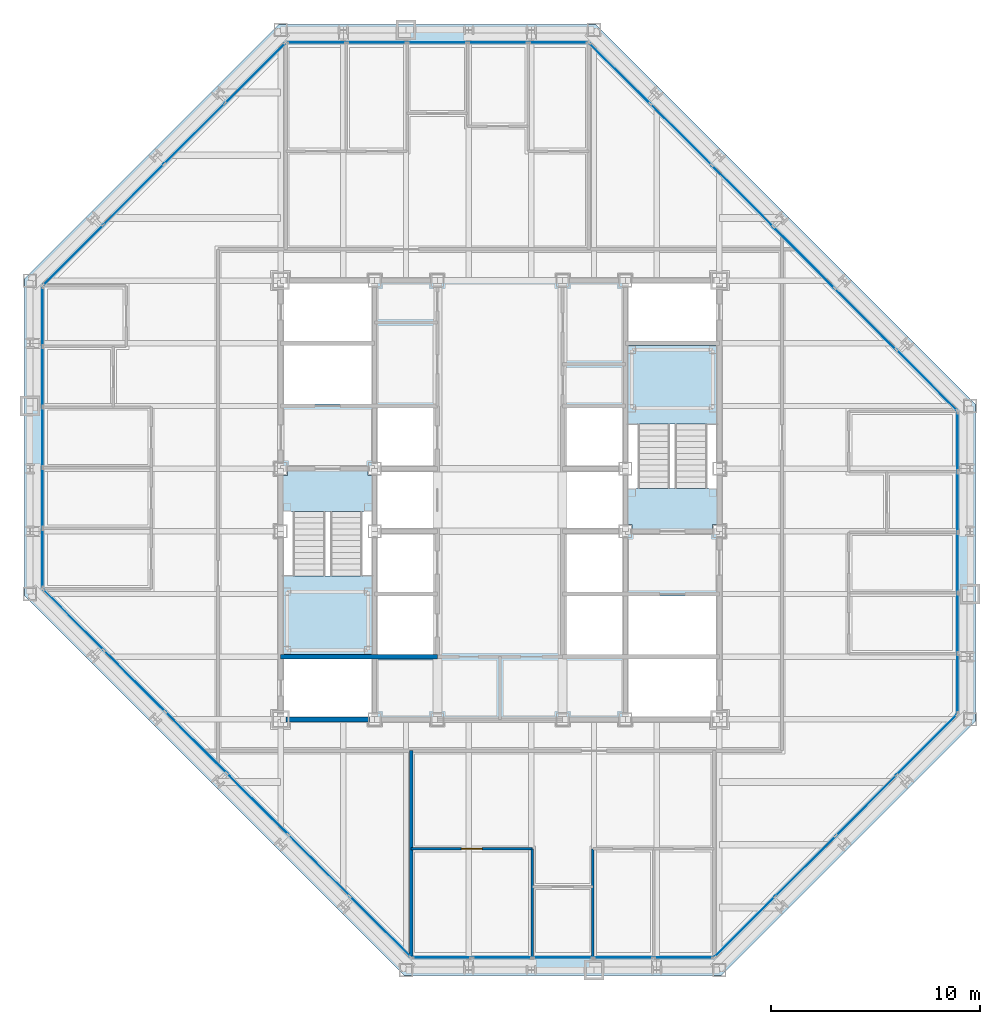
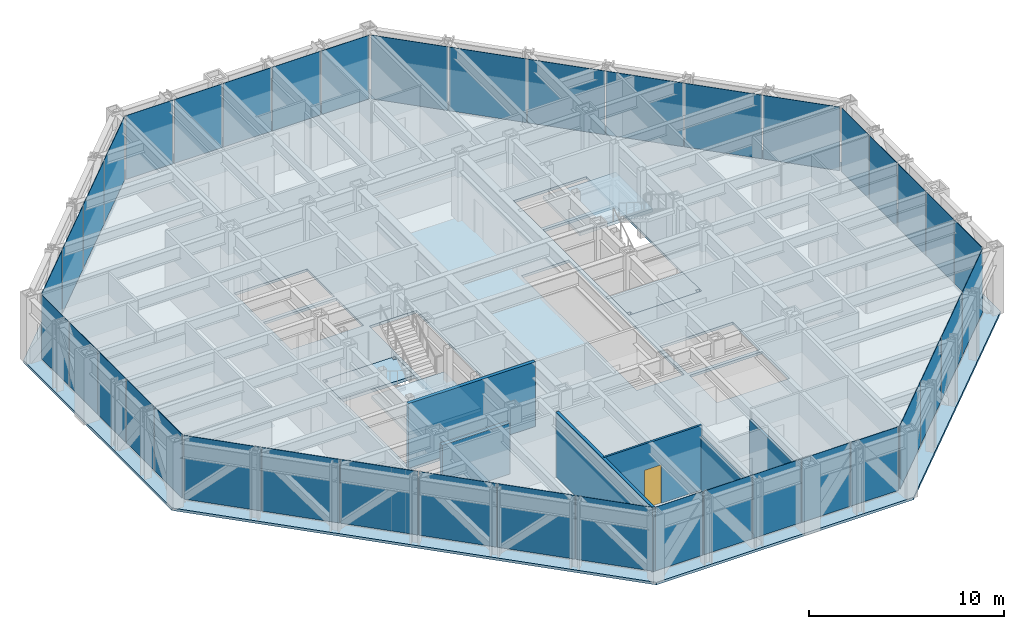
# One storey, part 10 of 16: 40 plates, 6 walls, 5 slabs, 1 door, 1 opening, 10 elements without a shape of their own.
"""IFC4 building model written with IfcOpenShell, lengths in metres."""

from ifc_helpers import new_model, si_unit, direction, frame, frame_2d, origin, origin_2d, place, context, subcontext, project, spatial, polyline, rectangle, outline, extrude, material, layer, layer_set, type_object, element, fill, aggregate, save


model = new_model("IFC4")

# Units and contexts
model_context = context("Model", 3, precision=1e-05, world=origin(), true_north=direction((0.0, 1.0)))
body_context = subcontext(model_context, "Body", "Model", "MODEL_VIEW")
ifc_project = project(units=[si_unit("LENGTHUNIT", "METRE"), si_unit("AREAUNIT", "SQUARE_METRE"), si_unit("VOLUMEUNIT", "CUBIC_METRE"), si_unit("PLANEANGLEUNIT", "RADIAN"), si_unit("MASSUNIT", "GRAM", prefix="KILO")], contexts=[model_context])

# Site, building, storey
site_placement = place(None, origin())
site = spatial("IfcSite", under=ifc_project, at=site_placement, CompositionType="ELEMENT")
building_placement = place(site_placement, origin())
building = spatial("IfcBuilding", under=site, at=building_placement, Name="Chuquiago Exchange Tower", CompositionType="ELEMENT")
storey_placement = place(building_placement, frame((0.0, 0.0, 205.5)))
storey = spatial("IfcBuildingStorey", under=building, at=storey_placement, Name="L45", CompositionType="ELEMENT", Elevation=205.5)

# Curtain wall, plate
ifc_material_1 = material(Name="Aluminium curtain wall system", Category="aluminium")
ifc_layer_1 = layer(ifc_material_1, 0.22509765625)
ifc_layer_set_1 = layer_set([ifc_layer_1], Name="CW2 office curtain wall")
curtain_wall_type_1 = type_object("IfcCurtainWallType", Name="CW2 office curtain wall", PredefinedType="NOTDEFINED", material=ifc_layer_set_1)
curtain_wall_1_placement = place(storey_placement, origin())
curtain_wall_1 = element("IfcCurtainWall", 1, at=curtain_wall_1_placement, inside=storey, type_object=curtain_wall_type_1, Name="CW2 curtain wall L45", PredefinedType="NOTDEFINED")
ifc_material_2 = material(Name="Glass, insulating unit", Category="glass")
ifc_layer_2 = layer(ifc_material_2, 0.030029296875)
ifc_layer_set_2 = layer_set([ifc_layer_2], Name="CW2-P panel 30")
plate_type_1 = type_object("IfcPlateType", Name="CW2-P panel 30", PredefinedType="CURTAIN_PANEL", material=ifc_layer_set_2)
plate_1_placement = place(storey_placement, frame((25.5, 0.60009765625, 0.06494140625), z_axis=(0.0, 0.0, 1.0), x_axis=(1.0, 0.0, 0.0)))
plate_1 = element("IfcPlate", 2, at=plate_1_placement, type_object=plate_type_1, Name="CW2 panel 3.1", PredefinedType="CURTAIN_PANEL", context=body_context, shape_type="SweptSolid", body=[
    extrude(rectangle(XDim=2.835693359375, YDim=0.030029296875, at=origin_2d()), origin(), (0.0, 0.0, 1.0), 3.97509765625),
])

curtain_wall_2_placement = place(storey_placement, origin())
curtain_wall_2 = element("IfcCurtainWall", 3, at=curtain_wall_2_placement, inside=storey, type_object=curtain_wall_type_1, Name="CW2 curtain wall L45", PredefinedType="NOTDEFINED")
plate_2_placement = place(storey_placement, frame((44.39990234375, 19.5, 0.06494140625), z_axis=(0.0, 0.0, 1.0), x_axis=(0.0, 1.0, 0.0)))
plate_2 = element("IfcPlate", 4, at=plate_2_placement, type_object=plate_type_1, Name="CW2 panel 3.1", PredefinedType="CURTAIN_PANEL", context=body_context, shape_type="SweptSolid", body=[
    extrude(rectangle(XDim=2.835693359375, YDim=0.030029296875, at=origin_2d()), origin(), (0.0, 0.0, 1.0), 3.97509765625),
])

curtain_wall_3_placement = place(storey_placement, origin())
curtain_wall_3 = element("IfcCurtainWall", 5, at=curtain_wall_3_placement, inside=storey, type_object=curtain_wall_type_1, Name="CW2 curtain wall L45", PredefinedType="NOTDEFINED")
plate_3_placement = place(storey_placement, frame((19.5, 44.39990234375, 0.06494140625), z_axis=(0.0, 0.0, 1.0), x_axis=(-1.0, 0.0, 0.0)))
plate_3 = element("IfcPlate", 6, at=plate_3_placement, type_object=plate_type_1, Name="CW2 panel 3.1", PredefinedType="CURTAIN_PANEL", context=body_context, shape_type="SweptSolid", body=[
    extrude(rectangle(XDim=2.835693359375, YDim=0.030029296875, at=origin_2d()), origin(), (0.0, 0.0, 1.0), 3.97509765625),
])

curtain_wall_4_placement = place(storey_placement, origin())
curtain_wall_4 = element("IfcCurtainWall", 7, at=curtain_wall_4_placement, inside=storey, type_object=curtain_wall_type_1, Name="CW2 curtain wall L45", PredefinedType="NOTDEFINED")
plate_4_placement = place(storey_placement, frame((0.60009765625, 25.5, 0.06494140625), z_axis=(0.0, 0.0, 1.0), x_axis=(0.0, -1.0, 0.0)))
plate_4 = element("IfcPlate", 8, at=plate_4_placement, type_object=plate_type_1, Name="CW2 panel 3.1", PredefinedType="CURTAIN_PANEL", context=body_context, shape_type="SweptSolid", body=[
    extrude(rectangle(XDim=2.835693359375, YDim=0.030029296875, at=origin_2d()), origin(), (0.0, 0.0, 1.0), 3.97509765625),
])

# Plate
ifc_material_3 = material(Name="Insulated spandrel panel, pale anodised aluminium", Category="aluminium")
ifc_layer_3 = layer(ifc_material_3, 0.030029296875)
ifc_layer_set_3 = layer_set([ifc_layer_3], Name="CW2-P spandrel panel 30")
plate_type_2 = type_object("IfcPlateType", Name="CW2-P spandrel panel 30", PredefinedType="CURTAIN_PANEL", material=ifc_layer_set_3)
plate_5_placement = place(storey_placement, frame((19.715087890625, 0.60009765625, 0.06494140625), z_axis=(0.0, 0.0, 1.0), x_axis=(1.0, 0.0, 0.0)))
plate_5 = element("IfcPlate", 9, at=plate_5_placement, type_object=plate_type_2, Name="CW2 panel 1.1", PredefinedType="CURTAIN_PANEL", context=body_context, shape_type="SweptSolid", body=[
    extrude(rectangle(XDim=2.802978515625, YDim=0.030029296875, at=origin_2d()), origin(), (0.0, 0.0, 1.0), 3.97509765625),
])

plate_6_placement = place(storey_placement, frame((22.599365234375, 0.60009765625, 0.06494140625), z_axis=(0.0, 0.0, 1.0), x_axis=(1.0, 0.0, 0.0)))
plate_6 = element("IfcPlate", 10, at=plate_6_placement, type_object=plate_type_2, Name="CW2 panel 2.1", PredefinedType="CURTAIN_PANEL", context=body_context, shape_type="SweptSolid", body=[
    extrude(rectangle(XDim=2.835693359375, YDim=0.030029296875, at=origin_2d()), origin(), (0.0, 0.0, 1.0), 3.97509765625),
])

plate_7_placement = place(storey_placement, frame((28.400634765625, 0.60009765625, 0.06494140625), z_axis=(0.0, 0.0, 1.0), x_axis=(1.0, 0.0, 0.0)))
plate_7 = element("IfcPlate", 11, at=plate_7_placement, type_object=plate_type_2, Name="CW2 panel 4.1", PredefinedType="CURTAIN_PANEL", context=body_context, shape_type="SweptSolid", body=[
    extrude(rectangle(XDim=2.835693359375, YDim=0.030029296875, at=origin_2d()), origin(), (0.0, 0.0, 1.0), 3.97509765625),
])

plate_8_placement = place(storey_placement, frame((31.284912109375, 0.60009765625, 0.06494140625), z_axis=(0.0, 0.0, 1.0), x_axis=(1.0, 0.0, 0.0)))
plate_8 = element("IfcPlate", 12, at=plate_8_placement, type_object=plate_type_2, Name="CW2 panel 5.1", PredefinedType="CURTAIN_PANEL", context=body_context, shape_type="SweptSolid", body=[
    extrude(rectangle(XDim=2.802978515625, YDim=0.030029296875, at=origin_2d()), origin(), (0.0, 0.0, 1.0), 3.97509765625),
])

aggregate(curtain_wall_1, [plate_5, plate_6, plate_1, plate_7, plate_8])

plate_9_placement = place(storey_placement, frame((44.39990234375, 13.715087890625, 0.06494140625), z_axis=(0.0, 0.0, 1.0), x_axis=(0.0, 1.0, 0.0)))
plate_9 = element("IfcPlate", 13, at=plate_9_placement, type_object=plate_type_2, Name="CW2 panel 1.1", PredefinedType="CURTAIN_PANEL", context=body_context, shape_type="SweptSolid", body=[
    extrude(rectangle(XDim=2.802978515625, YDim=0.030029296875, at=origin_2d()), origin(), (0.0, 0.0, 1.0), 3.97509765625),
])

plate_10_placement = place(storey_placement, frame((44.39990234375, 16.599365234375, 0.06494140625), z_axis=(0.0, 0.0, 1.0), x_axis=(0.0, 1.0, 0.0)))
plate_10 = element("IfcPlate", 14, at=plate_10_placement, type_object=plate_type_2, Name="CW2 panel 2.1", PredefinedType="CURTAIN_PANEL", context=body_context, shape_type="SweptSolid", body=[
    extrude(rectangle(XDim=2.835693359375, YDim=0.030029296875, at=origin_2d()), origin(), (0.0, 0.0, 1.0), 3.97509765625),
])

plate_11_placement = place(storey_placement, frame((44.39990234375, 22.400634765625, 0.06494140625), z_axis=(0.0, 0.0, 1.0), x_axis=(0.0, 1.0, 0.0)))
plate_11 = element("IfcPlate", 15, at=plate_11_placement, type_object=plate_type_2, Name="CW2 panel 4.1", PredefinedType="CURTAIN_PANEL", context=body_context, shape_type="SweptSolid", body=[
    extrude(rectangle(XDim=2.835693359375, YDim=0.030029296875, at=origin_2d()), origin(), (0.0, 0.0, 1.0), 3.97509765625),
])

plate_12_placement = place(storey_placement, frame((44.39990234375, 25.284912109375, 0.06494140625), z_axis=(0.0, 0.0, 1.0), x_axis=(0.0, 1.0, 0.0)))
plate_12 = element("IfcPlate", 16, at=plate_12_placement, type_object=plate_type_2, Name="CW2 panel 5.1", PredefinedType="CURTAIN_PANEL", context=body_context, shape_type="SweptSolid", body=[
    extrude(rectangle(XDim=2.802978515625, YDim=0.030029296875, at=origin_2d()), origin(), (0.0, 0.0, 1.0), 3.97509765625),
])

aggregate(curtain_wall_2, [plate_9, plate_10, plate_2, plate_11, plate_12])

plate_13_placement = place(storey_placement, frame((25.284912109375, 44.39990234375, 0.06494140625), z_axis=(0.0, 0.0, 1.0), x_axis=(-1.0, 0.0, 0.0)))
plate_13 = element("IfcPlate", 17, at=plate_13_placement, type_object=plate_type_2, Name="CW2 panel 1.1", PredefinedType="CURTAIN_PANEL", context=body_context, shape_type="SweptSolid", body=[
    extrude(rectangle(XDim=2.802978515625, YDim=0.030029296875, at=origin_2d()), origin(), (0.0, 0.0, 1.0), 3.97509765625),
])

plate_14_placement = place(storey_placement, frame((22.400634765625, 44.39990234375, 0.06494140625), z_axis=(0.0, 0.0, 1.0), x_axis=(-1.0, 0.0, 0.0)))
plate_14 = element("IfcPlate", 18, at=plate_14_placement, type_object=plate_type_2, Name="CW2 panel 2.1", PredefinedType="CURTAIN_PANEL", context=body_context, shape_type="SweptSolid", body=[
    extrude(rectangle(XDim=2.835693359375, YDim=0.030029296875, at=origin_2d()), origin(), (0.0, 0.0, 1.0), 3.97509765625),
])

plate_15_placement = place(storey_placement, frame((16.599365234375, 44.39990234375, 0.06494140625), z_axis=(0.0, 0.0, 1.0), x_axis=(-1.0, 0.0, 0.0)))
plate_15 = element("IfcPlate", 19, at=plate_15_placement, type_object=plate_type_2, Name="CW2 panel 4.1", PredefinedType="CURTAIN_PANEL", context=body_context, shape_type="SweptSolid", body=[
    extrude(rectangle(XDim=2.835693359375, YDim=0.030029296875, at=origin_2d()), origin(), (0.0, 0.0, 1.0), 3.97509765625),
])

plate_16_placement = place(storey_placement, frame((13.715087890625, 44.39990234375, 0.06494140625), z_axis=(0.0, 0.0, 1.0), x_axis=(-1.0, 0.0, 0.0)))
plate_16 = element("IfcPlate", 20, at=plate_16_placement, type_object=plate_type_2, Name="CW2 panel 5.1", PredefinedType="CURTAIN_PANEL", context=body_context, shape_type="SweptSolid", body=[
    extrude(rectangle(XDim=2.802978515625, YDim=0.030029296875, at=origin_2d()), origin(), (0.0, 0.0, 1.0), 3.97509765625),
])

aggregate(curtain_wall_3, [plate_13, plate_14, plate_3, plate_15, plate_16])

plate_17_placement = place(storey_placement, frame((0.60009765625, 31.284912109375, 0.06494140625), z_axis=(0.0, 0.0, 1.0), x_axis=(0.0, -1.0, 0.0)))
plate_17 = element("IfcPlate", 21, at=plate_17_placement, type_object=plate_type_2, Name="CW2 panel 1.1", PredefinedType="CURTAIN_PANEL", context=body_context, shape_type="SweptSolid", body=[
    extrude(rectangle(XDim=2.802978515625, YDim=0.030029296875, at=origin_2d()), origin(), (0.0, 0.0, 1.0), 3.97509765625),
])

plate_18_placement = place(storey_placement, frame((0.60009765625, 28.400634765625, 0.06494140625), z_axis=(0.0, 0.0, 1.0), x_axis=(0.0, -1.0, 0.0)))
plate_18 = element("IfcPlate", 22, at=plate_18_placement, type_object=plate_type_2, Name="CW2 panel 2.1", PredefinedType="CURTAIN_PANEL", context=body_context, shape_type="SweptSolid", body=[
    extrude(rectangle(XDim=2.835693359375, YDim=0.030029296875, at=origin_2d()), origin(), (0.0, 0.0, 1.0), 3.97509765625),
])

plate_19_placement = place(storey_placement, frame((0.60009765625, 22.599365234375, 0.06494140625), z_axis=(0.0, 0.0, 1.0), x_axis=(0.0, -1.0, 0.0)))
plate_19 = element("IfcPlate", 23, at=plate_19_placement, type_object=plate_type_2, Name="CW2 panel 4.1", PredefinedType="CURTAIN_PANEL", context=body_context, shape_type="SweptSolid", body=[
    extrude(rectangle(XDim=2.835693359375, YDim=0.030029296875, at=origin_2d()), origin(), (0.0, 0.0, 1.0), 3.97509765625),
])

plate_20_placement = place(storey_placement, frame((0.60009765625, 19.715087890625, 0.06494140625), z_axis=(0.0, 0.0, 1.0), x_axis=(0.0, -1.0, 0.0)))
plate_20 = element("IfcPlate", 24, at=plate_20_placement, type_object=plate_type_2, Name="CW2 panel 5.1", PredefinedType="CURTAIN_PANEL", context=body_context, shape_type="SweptSolid", body=[
    extrude(rectangle(XDim=2.802978515625, YDim=0.030029296875, at=origin_2d()), origin(), (0.0, 0.0, 1.0), 3.97509765625),
])

aggregate(curtain_wall_4, [plate_17, plate_18, plate_4, plate_19, plate_20])

# Curtain wall, plates
ifc_material_4 = material(Name="Aluminium curtain wall system", Category="aluminium")
ifc_layer_4 = layer(ifc_material_4, 0.199951171875)
ifc_layer_set_4 = layer_set([ifc_layer_4], Name="CW3 facet curtain wall")
curtain_wall_type_2 = type_object("IfcCurtainWallType", Name="CW3 facet curtain wall", PredefinedType="NOTDEFINED", material=ifc_layer_set_4)
curtain_wall_5_placement = place(storey_placement, origin())
curtain_wall_5 = element("IfcCurtainWall", 25, at=curtain_wall_5_placement, inside=storey, type_object=curtain_wall_type_2, Name="CW3 curtain wall L45", PredefinedType="NOTDEFINED")
ifc_material_5 = material(Name="Insulated spandrel panel, pale anodised aluminium", Category="aluminium")
ifc_layer_5 = layer(ifc_material_5, 0.030029296875)
ifc_layer_set_5 = layer_set([ifc_layer_5], Name="CW3-P spandrel panel 30")
plate_type_3 = type_object("IfcPlateType", Name="CW3-P spandrel panel 30", PredefinedType="CURTAIN_PANEL", material=ifc_layer_set_5)
plate_21_placement = place(storey_placement, frame((34.218994140625, 2.067626953125, 0.06494140625), z_axis=(0.0, 0.0, 1.0), x_axis=(0.707106781187, 0.707106781187, 0.0)))
plate_21 = element("IfcPlate", 26, at=plate_21_placement, type_object=plate_type_3, Name="CW3 panel 1.1", PredefinedType="CURTAIN_PANEL", context=body_context, shape_type="SweptSolid", body=[
    extrude(rectangle(XDim=4.020751953125, YDim=0.030029296875, at=origin_2d()), origin(), (0.0, 0.0, 1.0), 3.97509765625),
])
plate_22_placement = place(storey_placement, frame((37.11962890625, 4.96826171875, 0.06494140625), z_axis=(0.0, 0.0, 1.0), x_axis=(0.707106781187, 0.707106781187, 0.0)))
plate_22 = element("IfcPlate", 27, at=plate_22_placement, type_object=plate_type_3, Name="CW3 panel 2.1", PredefinedType="CURTAIN_PANEL", context=body_context, shape_type="SweptSolid", body=[
    extrude(rectangle(XDim=4.053466796875, YDim=0.030029296875, at=origin_2d()), origin(), (0.0, 0.0, 1.0), 3.97509765625),
])
plate_23_placement = place(storey_placement, frame((40.03173828125, 7.88037109375, 0.06494140625), z_axis=(0.0, 0.0, 1.0), x_axis=(0.707106781187, 0.707106781187, 0.0)))
plate_23 = element("IfcPlate", 28, at=plate_23_placement, type_object=plate_type_3, Name="CW3 panel 3.1", PredefinedType="CURTAIN_PANEL", context=body_context, shape_type="SweptSolid", body=[
    extrude(rectangle(XDim=4.053466796875, YDim=0.030029296875, at=origin_2d()), origin(), (0.0, 0.0, 1.0), 3.97509765625),
])
plate_24_placement = place(storey_placement, frame((42.932373046875, 10.781005859375, 0.06494140625), z_axis=(0.0, 0.0, 1.0), x_axis=(0.707106781187, 0.707106781187, 0.0)))
plate_24 = element("IfcPlate", 29, at=plate_24_placement, type_object=plate_type_3, Name="CW3 panel 4.1", PredefinedType="CURTAIN_PANEL", context=body_context, shape_type="SweptSolid", body=[
    extrude(rectangle(XDim=4.020751953125, YDim=0.030029296875, at=origin_2d()), origin(), (0.0, 0.0, 1.0), 3.97509765625),
])
aggregate(curtain_wall_5, [plate_21, plate_22, plate_23, plate_24])

curtain_wall_6_placement = place(storey_placement, origin())
curtain_wall_6 = element("IfcCurtainWall", 30, at=curtain_wall_6_placement, inside=storey, type_object=curtain_wall_type_2, Name="CW3 curtain wall L45", PredefinedType="NOTDEFINED")
plate_25_placement = place(storey_placement, frame((42.917724609375, 28.233642578125, 0.06494140625), z_axis=(0.0, 0.0, 1.0), x_axis=(-0.707106781187, 0.707106781187, 0.0)))
plate_25 = element("IfcPlate", 31, at=plate_25_placement, type_object=plate_type_3, Name="CW3 panel 1.1", PredefinedType="CURTAIN_PANEL", context=body_context, shape_type="SweptSolid", body=[
    extrude(rectangle(XDim=4.062255859375, YDim=0.030029296875, at=origin_2d()), origin(), (0.0, 0.0, 1.0), 3.97509765625),
])
plate_26_placement = place(storey_placement, frame((39.98779296875, 31.16357421875, 0.06494140625), z_axis=(0.0, 0.0, 1.0), x_axis=(-0.707106781187, 0.707106781187, 0.0)))
plate_26 = element("IfcPlate", 32, at=plate_26_placement, type_object=plate_type_3, Name="CW3 panel 2.1", PredefinedType="CURTAIN_PANEL", context=body_context, shape_type="SweptSolid", body=[
    extrude(rectangle(XDim=4.0947265625, YDim=0.030029296875, at=origin_2d()), origin(), (0.0, 0.0, 1.0), 3.97509765625),
])
plate_27_placement = place(storey_placement, frame((37.04638671875, 34.10498046875, 0.06494140625), z_axis=(0.0, 0.0, 1.0), x_axis=(-0.707106781187, 0.707106781187, 0.0)))
plate_27 = element("IfcPlate", 33, at=plate_27_placement, type_object=plate_type_3, Name="CW3 panel 3.1", PredefinedType="CURTAIN_PANEL", context=body_context, shape_type="SweptSolid", body=[
    extrude(rectangle(XDim=4.0947265625, YDim=0.030029296875, at=origin_2d()), origin(), (0.0, 0.0, 1.0), 3.97509765625),
])
plate_28_placement = place(storey_placement, frame((34.10498046875, 37.04638671875, 0.06494140625), z_axis=(0.0, 0.0, 1.0), x_axis=(-0.707106781187, 0.707106781187, 0.0)))
plate_28 = element("IfcPlate", 34, at=plate_28_placement, type_object=plate_type_3, Name="CW3 panel 4.1", PredefinedType="CURTAIN_PANEL", context=body_context, shape_type="SweptSolid", body=[
    extrude(rectangle(XDim=4.0947265625, YDim=0.030029296875, at=origin_2d()), origin(), (0.0, 0.0, 1.0), 3.97509765625),
])
plate_29_placement = place(storey_placement, frame((31.16357421875, 39.98779296875, 0.06494140625), z_axis=(0.0, 0.0, 1.0), x_axis=(-0.707106781187, 0.707106781187, 0.0)))
plate_29 = element("IfcPlate", 35, at=plate_29_placement, type_object=plate_type_3, Name="CW3 panel 5.1", PredefinedType="CURTAIN_PANEL", context=body_context, shape_type="SweptSolid", body=[
    extrude(rectangle(XDim=4.0947265625, YDim=0.030029296875, at=origin_2d()), origin(), (0.0, 0.0, 1.0), 3.97509765625),
])
plate_30_placement = place(storey_placement, frame((28.233642578125, 42.917724609375, 0.06494140625), z_axis=(0.0, 0.0, 1.0), x_axis=(-0.707106781187, 0.707106781187, 0.0)))
plate_30 = element("IfcPlate", 36, at=plate_30_placement, type_object=plate_type_3, Name="CW3 panel 6.1", PredefinedType="CURTAIN_PANEL", context=body_context, shape_type="SweptSolid", body=[
    extrude(rectangle(XDim=4.062255859375, YDim=0.030029296875, at=origin_2d()), origin(), (0.0, 0.0, 1.0), 3.97509765625),
])
aggregate(curtain_wall_6, [plate_25, plate_26, plate_27, plate_28, plate_29, plate_30])

curtain_wall_7_placement = place(storey_placement, origin())
curtain_wall_7 = element("IfcCurtainWall", 37, at=curtain_wall_7_placement, inside=storey, type_object=curtain_wall_type_2, Name="CW3 curtain wall L45", PredefinedType="NOTDEFINED")
plate_31_placement = place(storey_placement, frame((10.781005859375, 42.932373046875, 0.06494140625), z_axis=(0.0, 0.0, 1.0), x_axis=(-0.707106781187, -0.707106781187, 0.0)))
plate_31 = element("IfcPlate", 38, at=plate_31_placement, type_object=plate_type_3, Name="CW3 panel 1.1", PredefinedType="CURTAIN_PANEL", context=body_context, shape_type="SweptSolid", body=[
    extrude(rectangle(XDim=4.020751953125, YDim=0.030029296875, at=origin_2d()), origin(), (0.0, 0.0, 1.0), 3.97509765625),
])
plate_32_placement = place(storey_placement, frame((7.88037109375, 40.03173828125, 0.06494140625), z_axis=(0.0, 0.0, 1.0), x_axis=(-0.707106781187, -0.707106781187, 0.0)))
plate_32 = element("IfcPlate", 39, at=plate_32_placement, type_object=plate_type_3, Name="CW3 panel 2.1", PredefinedType="CURTAIN_PANEL", context=body_context, shape_type="SweptSolid", body=[
    extrude(rectangle(XDim=4.053466796875, YDim=0.030029296875, at=origin_2d()), origin(), (0.0, 0.0, 1.0), 3.97509765625),
])
plate_33_placement = place(storey_placement, frame((4.96826171875, 37.11962890625, 0.06494140625), z_axis=(0.0, 0.0, 1.0), x_axis=(-0.707106781187, -0.707106781187, 0.0)))
plate_33 = element("IfcPlate", 40, at=plate_33_placement, type_object=plate_type_3, Name="CW3 panel 3.1", PredefinedType="CURTAIN_PANEL", context=body_context, shape_type="SweptSolid", body=[
    extrude(rectangle(XDim=4.053466796875, YDim=0.030029296875, at=origin_2d()), origin(), (0.0, 0.0, 1.0), 3.97509765625),
])
plate_34_placement = place(storey_placement, frame((2.067626953125, 34.218994140625, 0.06494140625), z_axis=(0.0, 0.0, 1.0), x_axis=(-0.707106781187, -0.707106781187, 0.0)))
plate_34 = element("IfcPlate", 41, at=plate_34_placement, type_object=plate_type_3, Name="CW3 panel 4.1", PredefinedType="CURTAIN_PANEL", context=body_context, shape_type="SweptSolid", body=[
    extrude(rectangle(XDim=4.020751953125, YDim=0.030029296875, at=origin_2d()), origin(), (0.0, 0.0, 1.0), 3.97509765625),
])
aggregate(curtain_wall_7, [plate_31, plate_32, plate_33, plate_34])

curtain_wall_8_placement = place(storey_placement, origin())
curtain_wall_8 = element("IfcCurtainWall", 42, at=curtain_wall_8_placement, inside=storey, type_object=curtain_wall_type_2, Name="CW3 curtain wall L45", PredefinedType="NOTDEFINED")
plate_35_placement = place(storey_placement, frame((2.082275390625, 16.766357421875, 0.06494140625), z_axis=(0.0, 0.0, 1.0), x_axis=(0.707106781187, -0.707106781187, 0.0)))
plate_35 = element("IfcPlate", 43, at=plate_35_placement, type_object=plate_type_3, Name="CW3 panel 1.1", PredefinedType="CURTAIN_PANEL", context=body_context, shape_type="SweptSolid", body=[
    extrude(rectangle(XDim=4.062255859375, YDim=0.030029296875, at=origin_2d()), origin(), (0.0, 0.0, 1.0), 3.97509765625),
])
plate_36_placement = place(storey_placement, frame((5.01220703125, 13.83642578125, 0.06494140625), z_axis=(0.0, 0.0, 1.0), x_axis=(0.707106781187, -0.707106781187, 0.0)))
plate_36 = element("IfcPlate", 44, at=plate_36_placement, type_object=plate_type_3, Name="CW3 panel 2.1", PredefinedType="CURTAIN_PANEL", context=body_context, shape_type="SweptSolid", body=[
    extrude(rectangle(XDim=4.0947265625, YDim=0.030029296875, at=origin_2d()), origin(), (0.0, 0.0, 1.0), 3.97509765625),
])
plate_37_placement = place(storey_placement, frame((7.95361328125, 10.89501953125, 0.06494140625), z_axis=(0.0, 0.0, 1.0), x_axis=(0.707106781187, -0.707106781187, 0.0)))
plate_37 = element("IfcPlate", 45, at=plate_37_placement, type_object=plate_type_3, Name="CW3 panel 3.1", PredefinedType="CURTAIN_PANEL", context=body_context, shape_type="SweptSolid", body=[
    extrude(rectangle(XDim=4.0947265625, YDim=0.030029296875, at=origin_2d()), origin(), (0.0, 0.0, 1.0), 3.97509765625),
])
plate_38_placement = place(storey_placement, frame((10.89501953125, 7.95361328125, 0.06494140625), z_axis=(0.0, 0.0, 1.0), x_axis=(0.707106781187, -0.707106781187, 0.0)))
plate_38 = element("IfcPlate", 46, at=plate_38_placement, type_object=plate_type_3, Name="CW3 panel 4.1", PredefinedType="CURTAIN_PANEL", context=body_context, shape_type="SweptSolid", body=[
    extrude(rectangle(XDim=4.0947265625, YDim=0.030029296875, at=origin_2d()), origin(), (0.0, 0.0, 1.0), 3.97509765625),
])
plate_39_placement = place(storey_placement, frame((13.83642578125, 5.01220703125, 0.06494140625), z_axis=(0.0, 0.0, 1.0), x_axis=(0.707106781187, -0.707106781187, 0.0)))
plate_39 = element("IfcPlate", 47, at=plate_39_placement, type_object=plate_type_3, Name="CW3 panel 5.1", PredefinedType="CURTAIN_PANEL", context=body_context, shape_type="SweptSolid", body=[
    extrude(rectangle(XDim=4.0947265625, YDim=0.030029296875, at=origin_2d()), origin(), (0.0, 0.0, 1.0), 3.97509765625),
])
plate_40_placement = place(storey_placement, frame((16.766357421875, 2.082275390625, 0.06494140625), z_axis=(0.0, 0.0, 1.0), x_axis=(0.707106781187, -0.707106781187, 0.0)))
plate_40 = element("IfcPlate", 48, at=plate_40_placement, type_object=plate_type_3, Name="CW3 panel 6.1", PredefinedType="CURTAIN_PANEL", context=body_context, shape_type="SweptSolid", body=[
    extrude(rectangle(XDim=4.062255859375, YDim=0.030029296875, at=origin_2d()), origin(), (0.0, 0.0, 1.0), 3.97509765625),
])
aggregate(curtain_wall_8, [plate_35, plate_36, plate_37, plate_38, plate_39, plate_40])

# Slab
ifc_material_6 = material(Name="Concrete C30/37", Category="concrete")
ifc_layer_6 = layer(ifc_material_6, 0.159912109375)
ifc_layer_set_6 = layer_set([ifc_layer_6], Name="FS1 composite floor 160")
slab_type_1 = type_object("IfcSlabType", Name="FS1 composite floor 160", PredefinedType="FLOOR", material=ifc_layer_set_6)
slab_1_placement = place(storey_placement, frame((0.0, 0.0, -0.159912109375)))
element("IfcSlab", 49, at=slab_1_placement, inside=storey, type_object=slab_type_1, Name="L45 floor slab", PredefinedType="FLOOR", context=body_context, shape_type="SweptSolid", body=[
    extrude(outline(polyline([(17.896484375, -0.25), (-0.25, 17.896484375), (-0.25, 33.103515625), (11.896484375, 45.25), (27.103515625, 45.25), (45.25, 27.103515625), (45.25, 11.896484375), (33.103515625, -0.25), (17.896484375, -0.25)]), holes=[polyline([(16.39990234375, 15.10009765625), (12.10009765625, 15.10009765625), (12.10009765625, 23.89990234375), (16.39990234375, 23.89990234375), (16.39990234375, 15.10009765625)]), polyline([(32.89990234375, 21.10009765625), (28.60009765625, 21.10009765625), (28.60009765625, 29.89990234375), (32.89990234375, 29.89990234375), (32.89990234375, 21.10009765625)]), polyline([(16.39990234375, 12.10009765625), (12.10009765625, 12.10009765625), (12.10009765625, 14.89990234375), (16.39990234375, 14.89990234375), (16.39990234375, 12.10009765625)]), polyline([(16.39990234375, 30.10009765625), (12.10009765625, 30.10009765625), (12.10009765625, 32.89990234375), (16.39990234375, 32.89990234375), (16.39990234375, 30.10009765625)]), polyline([(32.89990234375, 12.10009765625), (28.60009765625, 12.10009765625), (28.60009765625, 14.89990234375), (32.89990234375, 14.89990234375), (32.89990234375, 12.10009765625)]), polyline([(32.89990234375, 30.10009765625), (28.60009765625, 30.10009765625), (28.60009765625, 32.89990234375), (32.89990234375, 32.89990234375), (32.89990234375, 30.10009765625)]), polyline([(16.39990234375, 27.10009765625), (12.10009765625, 27.10009765625), (12.10009765625, 29.89990234375), (16.39990234375, 29.89990234375), (16.39990234375, 27.10009765625)]), polyline([(32.89990234375, 15.10009765625), (28.60009765625, 15.10009765625), (28.60009765625, 17.89990234375), (32.89990234375, 17.89990234375), (32.89990234375, 15.10009765625)]), polyline([(19.39990234375, 15.10009765625), (16.60009765625, 15.10009765625), (16.60009765625, 26.89990234375), (19.39990234375, 26.89990234375), (19.39990234375, 15.10009765625)]), polyline([(28.39990234375, 15.10009765625), (25.60009765625, 15.10009765625), (25.60009765625, 26.89990234375), (28.39990234375, 26.89990234375), (28.39990234375, 15.10009765625)])]), origin(), (0.0, 0.0, 1.0), 0.159912109375),
])

# Stair, slabs
ifc_material_7 = material(Name="Concrete C30/37, precast", Category="concrete")
stair_type_1 = type_object("IfcStairType", Name="ST1 half-turn stair 4200", PredefinedType="HALF_TURN_STAIR", material=ifc_material_7)
stair_1_placement = place(storey_placement, origin())
stair_1 = element("IfcStair", 50, at=stair_1_placement, inside=storey, type_object=stair_type_1, Name="Stair ST1 L45", PredefinedType="HALF_TURN_STAIR")
ifc_material_8 = material(Name="Concrete C30/37, precast", Category="concrete")
ifc_layer_7 = layer(ifc_material_8, 0.199951171875)
ifc_layer_set_7 = layer_set([ifc_layer_7], Name="ST-L landing 200")
slab_type_2 = type_object("IfcSlabType", Name="ST-L landing 200", PredefinedType="LANDING", material=ifc_layer_set_7)
slab_2_placement = place(storey_placement, frame((0.0, 0.0, -0.199951171875)))
slab_2 = element("IfcSlab", 51, at=slab_2_placement, type_object=slab_type_2, Name="ST1 landing 1", PredefinedType="LANDING", context=body_context, shape_type="SweptSolid", body=[
    extrude(outline(polyline([(12.324951171875, 23.89990234375), (16.175048828125, 23.89990234375), (16.175048828125, 23.675048828125), (16.39990234375, 23.675048828125), (16.39990234375, 21.949951171875), (12.10009765625, 21.949951171875), (12.10009765625, 23.675048828125), (12.324951171875, 23.675048828125), (12.324951171875, 23.89990234375)])), origin(), (0.0, 0.0, 1.0), 0.199951171875),
])
slab_3_placement = place(storey_placement, frame((0.0, 0.0, 1.89990234375)))
slab_3 = element("IfcSlab", 52, at=slab_3_placement, type_object=slab_type_2, Name="ST1 landing 2", PredefinedType="LANDING", context=body_context, shape_type="SweptSolid", body=[
    extrude(outline(polyline([(12.10009765625, 18.8701171875), (16.39990234375, 18.8701171875), (16.39990234375, 15.10009765625), (12.10009765625, 15.10009765625), (12.10009765625, 18.8701171875)])), origin(), (0.0, 0.0, 1.0), 0.2001953125),
])
aggregate(stair_1, [slab_2, slab_3])

ifc_material_9 = material(Name="Concrete C30/37, precast", Category="concrete")
stair_type_2 = type_object("IfcStairType", Name="ST2 half-turn stair 4200", PredefinedType="HALF_TURN_STAIR", material=ifc_material_9)
stair_2_placement = place(storey_placement, origin())
stair_2 = element("IfcStair", 53, at=stair_2_placement, inside=storey, type_object=stair_type_2, Name="Stair ST2 L45", PredefinedType="HALF_TURN_STAIR")
slab_4_placement = place(storey_placement, frame((0.0, 0.0, -0.199951171875)))
slab_4 = element("IfcSlab", 54, at=slab_4_placement, type_object=slab_type_2, Name="ST2 landing 1", PredefinedType="LANDING", context=body_context, shape_type="SweptSolid", body=[
    extrude(outline(polyline([(32.675048828125, 21.324951171875), (32.675048828125, 21.10009765625), (28.824951171875, 21.10009765625), (28.824951171875, 21.324951171875), (28.60009765625, 21.324951171875), (28.60009765625, 23.050048828125), (32.89990234375, 23.050048828125), (32.89990234375, 21.324951171875), (32.675048828125, 21.324951171875)])), origin(), (0.0, 0.0, 1.0), 0.199951171875),
])
slab_5_placement = place(storey_placement, frame((0.0, 0.0, 1.89990234375)))
slab_5 = element("IfcSlab", 55, at=slab_5_placement, type_object=slab_type_2, Name="ST2 landing 2", PredefinedType="LANDING", context=body_context, shape_type="SweptSolid", body=[
    extrude(outline(polyline([(28.60009765625, 29.89990234375), (32.89990234375, 29.89990234375), (32.89990234375, 26.1298828125), (28.60009765625, 26.1298828125), (28.60009765625, 29.89990234375)])), origin(), (0.0, 0.0, 1.0), 0.2001953125),
])
aggregate(stair_2, [slab_4, slab_5])

# Walls
ifc_material_10 = material(Name="Concrete masonry, fully grouted", Category="masonry")
ifc_layer_8 = layer(ifc_material_10, 0.25)
ifc_layer_set_8 = layer_set([ifc_layer_8], Name="W1 core wall 250")
wall_type_1 = type_object("IfcWallType", Name="W1 core wall 250", PredefinedType="SOLIDWALL", material=ifc_layer_set_8)
wall_1_placement = place(storey_placement, frame((12.25, 12.0, 0.0), z_axis=(0.0, 0.0, 1.0), x_axis=(1.0, 0.0, 0.0)))
element("IfcWall", 56, at=wall_1_placement, inside=storey, type_object=wall_type_1, Name="CW-L45-01-0", PredefinedType="SOLIDWALL", context=body_context, shape_type="SweptSolid", body=[
    extrude(rectangle(XDim=4.0, YDim=0.25, at=frame_2d((2.0, 0.0))), origin(), (0.0, 0.0, 1.0), 3.181396484375),
])
ifc_material_11 = material(Name="Gypsum board on twin steel studs, acoustic insulation", Category="steel")
ifc_layer_9 = layer(ifc_material_11, 0.175048828125)
ifc_layer_set_9 = layer_set([ifc_layer_9], Name="W12 tenant demising wall 175")
wall_type_2 = type_object("IfcWallType", Name="W12 tenant demising wall 175", PredefinedType="PARTITIONING", material=ifc_layer_set_9)
wall_2_placement = place(storey_placement, frame((18.24853515625, 0.666015625, 0.0), z_axis=(0.0, 0.0, 1.0), x_axis=(0.0, 1.0, 0.0)))
element("IfcWall", 57, at=wall_2_placement, inside=storey, type_object=wall_type_2, Name="PW-L45-DS01825", PredefinedType="PARTITIONING", context=body_context, shape_type="SweptSolid", body=[
    extrude(rectangle(XDim=9.833984375, YDim=0.175048828125, at=frame_2d((4.9169921875, 0.0))), origin(), (0.0, 0.0, 1.0), 4.0400390625),
])
ifc_material_12 = material(Name="Concrete masonry, fully grouted", Category="masonry")
ifc_layer_10 = layer(ifc_material_12, 0.199951171875)
ifc_layer_set_10 = layer_set([ifc_layer_10], Name="W2 shaft wall 200")
wall_type_3 = type_object("IfcWallType", Name="W2 shaft wall 200", PredefinedType="SOLIDWALL", material=ifc_layer_set_10)
wall_3_placement = place(storey_placement, frame((12.0, 15.0, 0.0), z_axis=(0.0, 0.0, 1.0), x_axis=(1.0, 0.0, 0.0)))
element("IfcWall", 58, at=wall_3_placement, inside=storey, type_object=wall_type_3, Name="CW-L45-03-0", PredefinedType="SOLIDWALL", context=body_context, shape_type="SweptSolid", body=[
    extrude(rectangle(XDim=7.5, YDim=0.199951171875, at=frame_2d((3.75, 0.0))), origin(), (0.0, 0.0, 1.0), 4.0400390625),
])
ifc_material_13 = material(Name="Gypsum board on steel studs", Category="steel")
ifc_layer_11 = layer(ifc_material_13, 0.1201171875)
ifc_layer_set_11 = layer_set([ifc_layer_11], Name="W4 partition 120")
wall_type_4 = type_object("IfcWallType", Name="W4 partition 120", PredefinedType="PARTITIONING", material=ifc_layer_set_11)
for number, where, z_axis, x_axis, name in (
    (59, (24.0498046875, 0.652587890625, 0.0), (0.0, 0.0, 1.0), (0.0, 1.0, 0.0), "PW-L45-S02405"),
    (60, (26.9501953125, 0.652587890625, 0.0), (0.0, 0.0, 1.0), (0.0, 1.0, 0.0), "PW-L45-S02695"),
):
    element("IfcWall", number, at=place(storey_placement, frame(where, z_axis=z_axis, x_axis=x_axis)), inside=storey, type_object=wall_type_4, Name=name, PredefinedType="PARTITIONING", context=body_context, shape_type="SweptSolid", body=[
        extrude(rectangle(XDim=5.1474609375, YDim=0.1201171875, at=frame_2d((2.57373046875, 0.0))), origin(), (0.0, 0.0, 1.0), 3.356689453125),
    ])

# Wall, opening, door
wall_4_placement = place(storey_placement, frame((18.24853515625, 5.800048828125, 0.0), z_axis=(0.0, 0.0, 1.0), x_axis=(1.0, 0.0, 0.0)))
wall_4 = element("IfcWall", 61, at=wall_4_placement, inside=storey, type_object=wall_type_4, Name="PW-L45-SF01825", PredefinedType="PARTITIONING", context=body_context, shape_type="SweptSolid", body=[
    extrude(rectangle(XDim=5.80126953125, YDim=0.1201171875, at=frame_2d((2.900634765625, 0.0))), origin(), (0.0, 0.0, 1.0), 4.0400390625),
])
opening_placement = place(wall_4_placement, frame((2.400634765625, 0.0, 0.0)))
opening = element("IfcOpeningElement", 62, at=opening_placement, cuts=wall_4, Name="Opening L45-021", PredefinedType="OPENING", context=body_context, shape_type="SweptSolid", body=[
    extrude(rectangle(XDim=1.0, YDim=2.39990234375, at=frame_2d((0.5, 1.199951171875))), frame((0.0, 0.070068359375, 0.0), z_axis=(0.0, -1.0, 0.0), x_axis=(1.0, 0.0, 0.0)), (0.0, 0.0, 1.0), 0.14013671875),
])
ifc_material_14 = material(Name="Timber frame door, full height glazed panel", Category="wood")
door_type = type_object("IfcDoorType", Name="D14 glazed meeting room door 1000x2400", OperationType="SINGLE_SWING_LEFT", PredefinedType="DOOR", material=ifc_material_14)
door_placement = place(opening_placement, frame((1.0, 0.0, 0.0), z_axis=(0.0, 0.0, 1.0), x_axis=(-1.0, 0.0, 0.0)))
door = element("IfcDoor", 63, at=door_placement, inside=storey, type_object=door_type, Name="Meeting room door", OperationType="SINGLE_SWING_RIGHT", OverallHeight=2.39990234375, OverallWidth=1.0, PredefinedType="DOOR", context=body_context, shape_type="SweptSolid", body=[
    extrude(rectangle(XDim=1.0, YDim=2.39990234375, at=frame_2d((0.5, 1.199951171875))), frame((0.0, 0.02490234375, 0.0), z_axis=(0.0, -1.0, 0.0), x_axis=(1.0, 0.0, 0.0)), (0.0, 0.0, 1.0), 0.050048828125),
])
fill(opening, door)

save(model, "model.ifc")
